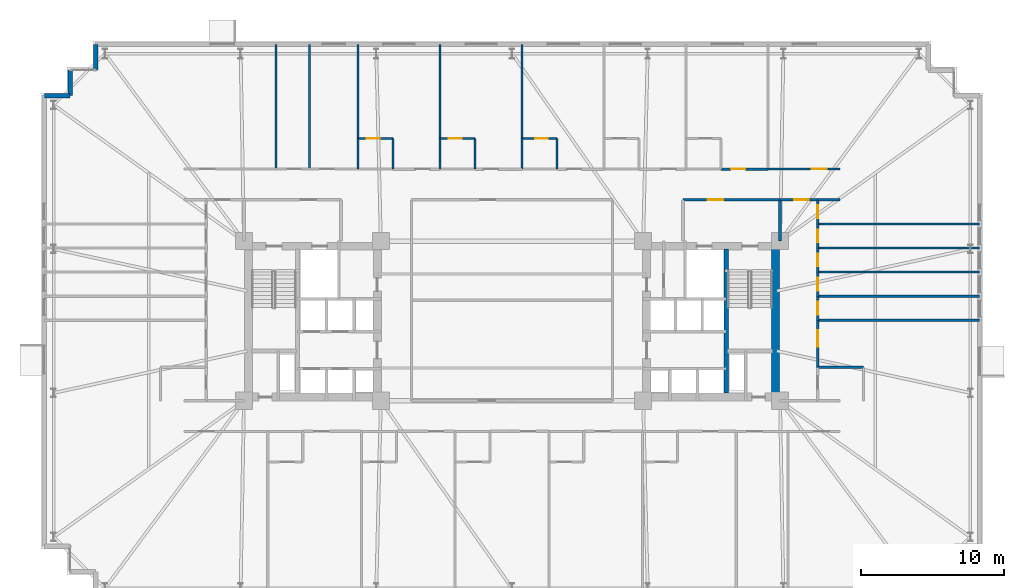
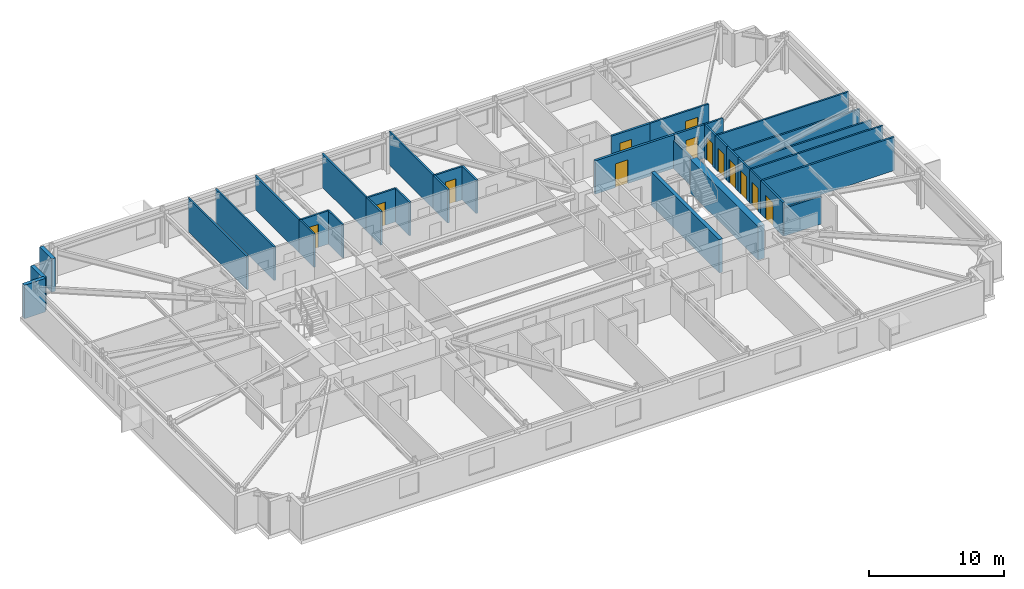
# One storey, part 18 of 21: 37 walls, 13 doors, 13 openings.
"""IFC4 building model written with IfcOpenShell, lengths in metres."""

from ifc_helpers import new_model, si_unit, direction, frame, frame_2d, origin, place, context, subcontext, project, spatial, rectangle, extrude, material, layer, layer_set, type_object, element, fill, save


model = new_model("IFC4")

# Units and contexts
model_context = context("Model", 3, precision=1e-05, world=origin(), true_north=direction((0.0, 1.0)))
body_context = subcontext(model_context, "Body", "Model", "MODEL_VIEW")
ifc_project = project(units=[si_unit("LENGTHUNIT", "METRE"), si_unit("AREAUNIT", "SQUARE_METRE"), si_unit("VOLUMEUNIT", "CUBIC_METRE"), si_unit("PLANEANGLEUNIT", "RADIAN"), si_unit("MASSUNIT", "GRAM", prefix="KILO")], contexts=[model_context])

# Site, building, storey
site_placement = place(None, origin())
site = spatial("IfcSite", under=ifc_project, at=site_placement, CompositionType="ELEMENT")
building_placement = place(site_placement, origin())
building = spatial("IfcBuilding", under=site, at=building_placement, Name="Qobustan Lattice House", CompositionType="ELEMENT")
storey_placement = place(building_placement, frame((0.0, 0.0, 57.14990234375)))
storey = spatial("IfcBuildingStorey", under=building, at=storey_placement, Name="L15", CompositionType="ELEMENT", Elevation=57.14990234375)

# Walls
ifc_material_1 = material(Name="Concrete C60/75", Category="concrete")
ifc_layer_1 = layer(ifc_material_1, 0.56005859375)
ifc_layer_set_1 = layer_set([ifc_layer_1], Name="Concrete C60/75")
wall_type_1 = type_object("IfcWallType", Name="WAL-CORE-600", PredefinedType="SHEAR", material=ifc_layer_set_1)
wall_1_placement = place(storey_placement, frame((18.489990234375, -5.050048828125, 0.0), z_axis=(0.0, 0.0, 1.0), x_axis=(0.0, 1.0, 0.0)))
element("IfcWall", 1, at=wall_1_placement, inside=storey, type_object=wall_type_1, Name="L15 split-core shear wall CE-E", PredefinedType="SHEAR", context=body_context, shape_type="SweptSolid", body=[
    extrude(rectangle(XDim=10.10009765625, YDim=0.56005859375, at=frame_2d((5.050048828125, 0.0))), origin(), (0.0, 0.0, 1.0), 3.03515625),
])
ifc_material_2 = material(Name="Concrete C50/60", Category="concrete")
ifc_layer_2 = layer(ifc_material_2, 0.280029296875)
ifc_layer_set_2 = layer_set([ifc_layer_2], Name="Concrete C50/60")
wall_type_2 = type_object("IfcWallType", Name="WAL-CORE-SPINE-280", PredefinedType="SHEAR", material=ifc_layer_set_2)
wall_2_placement = place(storey_placement, frame((15.02001953125, -5.050048828125, 0.0), z_axis=(0.0, 0.0, 1.0), x_axis=(0.0, 1.0, 0.0)))
element("IfcWall", 2, at=wall_2_placement, inside=storey, type_object=wall_type_2, Name="L15 split-core shear wall CE-M", PredefinedType="SHEAR", context=body_context, shape_type="SweptSolid", body=[
    extrude(rectangle(XDim=10.10009765625, YDim=0.300048828125, at=frame_2d((5.050048828125, 0.0))), origin(), (0.0, 0.0, 1.0), 3.03515625),
])
ifc_material_3 = material(Name="Precast concrete C40/50", Category="concrete")
ifc_layer_3 = layer(ifc_material_3, 0.320068359375)
ifc_layer_set_3 = layer_set([ifc_layer_3], Name="Precast concrete C40/50")
wall_type_3 = type_object("IfcWallType", Name="WAL-EXT-STONE-320", PredefinedType="SOLIDWALL", material=ifc_layer_set_3)
for number, where, z_axis, x_axis, name in (
    (3, (-32.800048828125, 15.800048828125, 0.0), (0.0, 0.0, 1.0), (1.0, 0.0, 0.0), "L15 exterior limestone-clad wall 6"),
    (4, (-31.0, 15.800048828125, 0.0), (0.0, 0.0, 1.0), (0.0, 1.0, 0.0), "L15 exterior limestone-clad wall 7"),
):
    element("IfcWall", number, at=place(storey_placement, frame(where, z_axis=z_axis, x_axis=x_axis)), inside=storey, type_object=wall_type_3, Name=name, PredefinedType="SOLIDWALL", context=body_context, shape_type="SweptSolid", body=[
        extrude(rectangle(XDim=1.800048828125, YDim=0.320068359375, at=frame_2d((0.89990234375, 0.0))), origin(), (0.0, 0.0, 1.0), 3.03515625),
    ])
wall_3_placement = place(storey_placement, frame((-29.199951171875, 17.60009765625, 0.0), z_axis=(0.0, 0.0, 1.0), x_axis=(0.0, 1.0, 0.0)))
element("IfcWall", 5, at=wall_3_placement, inside=storey, type_object=wall_type_3, Name="L15 exterior limestone-clad wall 9", PredefinedType="SOLIDWALL", context=body_context, shape_type="SweptSolid", body=[
    extrude(rectangle(XDim=1.7998046875, YDim=0.320068359375, at=frame_2d((0.89990234375, 0.0))), origin(), (0.0, 0.0, 1.0), 3.03515625),
])

# Wall, opening, door
ifc_material_4 = material(Name="Gypsum fireboard acoustic partition", Category="gypsum")
ifc_layer_4 = layer(ifc_material_4, 0.179931640625)
ifc_layer_set_4 = layer_set([ifc_layer_4], Name="Gypsum fireboard acoustic partition")
wall_type_4 = type_object("IfcWallType", Name="WAL-FIRE-180", PredefinedType="PARTITIONING", material=ifc_layer_set_4)
wall_4_placement = place(storey_placement, frame((21.449951171875, 8.5, 0.0), z_axis=(0.0, 0.0, 1.0), x_axis=(-1.0, 0.0, 0.0)))
wall_4 = element("IfcWall", 6, at=wall_4_placement, inside=storey, type_object=wall_type_4, Name="L15 interior partition 46", PredefinedType="PARTITIONING", context=body_context, shape_type="SweptSolid", body=[
    extrude(rectangle(XDim=2.64990234375, YDim=0.179931640625, at=frame_2d((1.324951171875, 0.0))), origin(), (0.0, 0.0, 1.0), 3.03515625),
])
opening_1_placement = place(wall_4_placement, frame((0.64111328125, 0.0, 0.0)))
opening_1 = element("IfcOpeningElement", 7, at=opening_1_placement, cuts=wall_4, Name="Opening FD-02", PredefinedType="OPENING", context=body_context, shape_type="SweptSolid", body=[
    extrude(rectangle(XDim=1.0, YDim=2.14990234375, at=frame_2d((0.5, 1.074951171875))), frame((0.0, 0.099853515625, 0.0), z_axis=(0.0, -1.0, 0.0), x_axis=(1.0, 0.0, 0.0)), (0.0, 0.0, 1.0), 0.199951171875),
])
ifc_material_5 = material(Name="Persian walnut timber and steel frame door", Category="steel")
door_type_1 = type_object("IfcDoorType", Name="DOR-UNIT-FD-1000x2150", OperationType="NOTDEFINED", PredefinedType="DOOR", material=ifc_material_5)
door_1_placement = place(opening_1_placement, origin())
door_1 = element("IfcDoor", 8, at=door_1_placement, inside=storey, type_object=door_type_1, Name="L15 North-east floor corridor to Residence entrance hall L15E door", OperationType="SINGLE_SWING_RIGHT", OverallHeight=2.14990234375, OverallWidth=1.0, PredefinedType="DOOR", context=body_context, shape_type="SweptSolid", body=[
    extrude(rectangle(XDim=1.0, YDim=2.14990234375, at=frame_2d((0.5, 1.074951171875))), frame((0.0, 0.02490234375, 0.0), z_axis=(0.0, -1.0, 0.0), x_axis=(1.0, 0.0, 0.0)), (0.0, 0.0, 1.0), 0.050048828125),
])
fill(opening_1, door_1)

wall_5_placement = place(storey_placement, frame((14.64990234375, 10.64990234375, 0.0), z_axis=(0.0, 0.0, 1.0), x_axis=(1.0, 0.0, 0.0)))
wall_5 = element("IfcWall", 9, at=wall_5_placement, inside=storey, type_object=wall_type_4, Name="L15 interior partition 53", PredefinedType="PARTITIONING", context=body_context, shape_type="SweptSolid", body=[
    extrude(rectangle(XDim=3.300048828125, YDim=0.179931640625, at=frame_2d((1.64990234375, 0.0))), origin(), (0.0, 0.0, 1.0), 3.03515625),
])
opening_2_placement = place(wall_5_placement, frame((0.722412109375, 0.0, 0.0)))
opening_2 = element("IfcOpeningElement", 10, at=opening_2_placement, cuts=wall_5, Name="Opening FD-02", PredefinedType="OPENING", context=body_context, shape_type="SweptSolid", body=[
    extrude(rectangle(XDim=1.0, YDim=2.14990234375, at=frame_2d((0.5, 1.074951171875))), frame((0.0, 0.099853515625, 0.0), z_axis=(0.0, -1.0, 0.0), x_axis=(1.0, 0.0, 0.0)), (0.0, 0.0, 1.0), 0.199951171875),
])
door_2_placement = place(opening_2_placement, origin())
door_2 = element("IfcDoor", 11, at=door_2_placement, inside=storey, type_object=door_type_1, Name="L15 North-east floor corridor to Kitchenette and studio apartment L15-N7 door", OperationType="SINGLE_SWING_LEFT", OverallHeight=2.14990234375, OverallWidth=1.0, PredefinedType="DOOR", context=body_context, shape_type="SweptSolid", body=[
    extrude(rectangle(XDim=1.0, YDim=2.14990234375, at=frame_2d((0.5, 1.074951171875))), frame((0.0, 0.02490234375, 0.0), z_axis=(0.0, -1.0, 0.0), x_axis=(1.0, 0.0, 0.0)), (0.0, 0.0, 1.0), 0.050048828125),
])
fill(opening_2, door_2)

# Wall
ifc_material_6 = material(Name="Acoustic twin-stud gypsum partition", Category="gypsum")
ifc_layer_5 = layer(ifc_material_6, 0.14990234375)
ifc_layer_set_5 = layer_set([ifc_layer_5], Name="Acoustic twin-stud gypsum partition")
wall_type_5 = type_object("IfcWallType", Name="WAL-PART-150", PredefinedType="PARTITIONING", material=ifc_layer_set_5)
wall_6_placement = place(storey_placement, frame((23.0, 8.5, 0.0), z_axis=(0.0, 0.0, 1.0), x_axis=(-1.0, 0.0, 0.0)))
element("IfcWall", 12, at=wall_6_placement, inside=storey, type_object=wall_type_5, Name="L15 interior partition 47", PredefinedType="PARTITIONING", context=body_context, shape_type="SweptSolid", body=[
    extrude(rectangle(XDim=1.550048828125, YDim=0.14990234375, at=frame_2d((0.77490234375, 0.0))), origin(), (0.0, 0.0, 1.0), 3.03515625),
])

# Wall, opening, door
wall_7_placement = place(storey_placement, frame((17.949951171875, 10.64990234375, 0.0), z_axis=(0.0, 0.0, 1.0), x_axis=(1.0, 0.0, 0.0)))
wall_7 = element("IfcWall", 13, at=wall_7_placement, inside=storey, type_object=wall_type_5, Name="L15 interior partition 55", PredefinedType="PARTITIONING", context=body_context, shape_type="SweptSolid", body=[
    extrude(rectangle(XDim=5.050048828125, YDim=0.14990234375, at=frame_2d((2.52490234375, 0.0))), origin(), (0.0, 0.0, 1.0), 3.03515625),
])
opening_3_placement = place(wall_7_placement, frame((3.06494140625, 0.0, 0.0)))
opening_3 = element("IfcOpeningElement", 14, at=opening_3_placement, cuts=wall_7, Name="Opening ID-02", PredefinedType="OPENING", context=body_context, shape_type="SweptSolid", body=[
    extrude(rectangle(XDim=1.050048828125, YDim=2.14990234375, at=frame_2d((0.52490234375, 1.074951171875))), frame((0.0, 0.0849609375, 0.0), z_axis=(0.0, -1.0, 0.0), x_axis=(1.0, 0.0, 0.0)), (0.0, 0.0, 1.0), 0.169921875),
])
ifc_material_7 = material(Name="Persian walnut timber and steel frame door", Category="steel")
door_type_2 = type_object("IfcDoorType", Name="DOR-STUDY-1050x2150", OperationType="NOTDEFINED", PredefinedType="DOOR", material=ifc_material_7)
door_3_placement = place(opening_3_placement, origin())
door_3 = element("IfcDoor", 15, at=door_3_placement, inside=storey, type_object=door_type_2, Name="L15 North-east floor corridor to Focus study room N8 door", OperationType="SINGLE_SWING_RIGHT", OverallHeight=2.14990234375, OverallWidth=1.050048828125, PredefinedType="DOOR", context=body_context, shape_type="SweptSolid", body=[
    extrude(rectangle(XDim=1.050048828125, YDim=2.14990234375, at=frame_2d((0.52490234375, 1.074951171875))), frame((0.0, 0.02490234375, 0.0), z_axis=(0.0, -1.0, 0.0), x_axis=(1.0, 0.0, 0.0)), (0.0, 0.0, 1.0), 0.050048828125),
])
fill(opening_3, door_3)

wall_8_placement = place(storey_placement, frame((21.449951171875, 1.73193359375, 0.0), z_axis=(0.0, 0.0, 1.0), x_axis=(0.0, -1.0, 0.0)))
wall_8 = element("IfcWall", 16, at=wall_8_placement, inside=storey, type_object=wall_type_5, Name="L15 interior partition 97", PredefinedType="PARTITIONING", context=body_context, shape_type="SweptSolid", body=[
    extrude(rectangle(XDim=1.69189453125, YDim=0.14990234375, at=frame_2d((0.845947265625, 0.0))), origin(), (0.0, 0.0, 1.0), 3.03515625),
])
opening_4_placement = place(wall_8_placement, frame((0.39599609375, 0.0, 0.0)))
opening_4 = element("IfcOpeningElement", 17, at=opening_4_placement, cuts=wall_8, Name="Opening WD-01", PredefinedType="OPENING", context=body_context, shape_type="SweptSolid", body=[
    extrude(rectangle(XDim=0.89990234375, YDim=2.10009765625, at=frame_2d((0.449951171875, 1.050048828125))), frame((0.0, 0.0849609375, 0.0), z_axis=(0.0, -1.0, 0.0), x_axis=(1.0, 0.0, 0.0)), (0.0, 0.0, 1.0), 0.169921875),
])
ifc_material_8 = material(Name="Persian walnut timber and steel frame door", Category="steel")
door_type_3 = type_object("IfcDoorType", Name="DOR-WET-900x2100", OperationType="NOTDEFINED", PredefinedType="DOOR", material=ifc_material_8)
door_4_placement = place(opening_4_placement, origin())
door_4 = element("IfcDoor", 18, at=door_4_placement, inside=storey, type_object=door_type_3, Name="L15 Residence entrance hall L15E to Cluster bedroom L15E1 door", OperationType="SINGLE_SWING_LEFT", OverallHeight=2.10009765625, OverallWidth=0.89990234375, PredefinedType="DOOR", context=body_context, shape_type="SweptSolid", body=[
    extrude(rectangle(XDim=0.89990234375, YDim=2.10009765625, at=frame_2d((0.449951171875, 1.050048828125))), frame((0.0, 0.02490234375, 0.0), z_axis=(0.0, -1.0, 0.0), x_axis=(1.0, 0.0, 0.0)), (0.0, 0.0, 1.0), 0.050048828125),
])
fill(opening_4, door_4)

wall_9_placement = place(storey_placement, frame((21.449951171875, 3.424072265625, 0.0), z_axis=(0.0, 0.0, 1.0), x_axis=(0.0, -1.0, 0.0)))
wall_9 = element("IfcWall", 19, at=wall_9_placement, inside=storey, type_object=wall_type_5, Name="L15 interior partition 98", PredefinedType="PARTITIONING", context=body_context, shape_type="SweptSolid", body=[
    extrude(rectangle(XDim=1.692138671875, YDim=0.14990234375, at=frame_2d((0.84619140625, 0.0))), origin(), (0.0, 0.0, 1.0), 3.03515625),
])
opening_5_placement = place(wall_9_placement, frame((0.39599609375, 0.0, 0.0)))
opening_5 = element("IfcOpeningElement", 20, at=opening_5_placement, cuts=wall_9, Name="Opening WD-01", PredefinedType="OPENING", context=body_context, shape_type="SweptSolid", body=[
    extrude(rectangle(XDim=0.89990234375, YDim=2.10009765625, at=frame_2d((0.449951171875, 1.050048828125))), frame((0.0, 0.0849609375, 0.0), z_axis=(0.0, -1.0, 0.0), x_axis=(1.0, 0.0, 0.0)), (0.0, 0.0, 1.0), 0.169921875),
])
door_5_placement = place(opening_5_placement, origin())
door_5 = element("IfcDoor", 21, at=door_5_placement, inside=storey, type_object=door_type_3, Name="L15 Residence entrance hall L15E to Cluster bedroom L15E2 door", OperationType="SINGLE_SWING_RIGHT", OverallHeight=2.10009765625, OverallWidth=0.89990234375, PredefinedType="DOOR", context=body_context, shape_type="SweptSolid", body=[
    extrude(rectangle(XDim=0.89990234375, YDim=2.10009765625, at=frame_2d((0.449951171875, 1.050048828125))), frame((0.0, 0.02490234375, 0.0), z_axis=(0.0, -1.0, 0.0), x_axis=(1.0, 0.0, 0.0)), (0.0, 0.0, 1.0), 0.050048828125),
])
fill(opening_5, door_5)

wall_10_placement = place(storey_placement, frame((21.449951171875, 5.115966796875, 0.0), z_axis=(0.0, 0.0, 1.0), x_axis=(0.0, -1.0, 0.0)))
wall_10 = element("IfcWall", 22, at=wall_10_placement, inside=storey, type_object=wall_type_5, Name="L15 interior partition 99", PredefinedType="PARTITIONING", context=body_context, shape_type="SweptSolid", body=[
    extrude(rectangle(XDim=1.69189453125, YDim=0.14990234375, at=frame_2d((0.845947265625, 0.0))), origin(), (0.0, 0.0, 1.0), 3.03515625),
])
opening_6_placement = place(wall_10_placement, frame((0.39599609375, 0.0, 0.0)))
opening_6 = element("IfcOpeningElement", 23, at=opening_6_placement, cuts=wall_10, Name="Opening WD-01", PredefinedType="OPENING", context=body_context, shape_type="SweptSolid", body=[
    extrude(rectangle(XDim=0.89990234375, YDim=2.10009765625, at=frame_2d((0.449951171875, 1.050048828125))), frame((0.0, 0.0849609375, 0.0), z_axis=(0.0, -1.0, 0.0), x_axis=(1.0, 0.0, 0.0)), (0.0, 0.0, 1.0), 0.169921875),
])
door_6_placement = place(opening_6_placement, origin())
door_6 = element("IfcDoor", 24, at=door_6_placement, inside=storey, type_object=door_type_3, Name="L15 Residence entrance hall L15E to Cluster bedroom L15E3 door", OperationType="SINGLE_SWING_LEFT", OverallHeight=2.10009765625, OverallWidth=0.89990234375, PredefinedType="DOOR", context=body_context, shape_type="SweptSolid", body=[
    extrude(rectangle(XDim=0.89990234375, YDim=2.10009765625, at=frame_2d((0.449951171875, 1.050048828125))), frame((0.0, 0.02490234375, 0.0), z_axis=(0.0, -1.0, 0.0), x_axis=(1.0, 0.0, 0.0)), (0.0, 0.0, 1.0), 0.050048828125),
])
fill(opening_6, door_6)

wall_11_placement = place(storey_placement, frame((21.449951171875, 6.80810546875, 0.0), z_axis=(0.0, 0.0, 1.0), x_axis=(0.0, -1.0, 0.0)))
wall_11 = element("IfcWall", 25, at=wall_11_placement, inside=storey, type_object=wall_type_5, Name="L15 interior partition 100", PredefinedType="PARTITIONING", context=body_context, shape_type="SweptSolid", body=[
    extrude(rectangle(XDim=1.692138671875, YDim=0.14990234375, at=frame_2d((0.84619140625, 0.0))), origin(), (0.0, 0.0, 1.0), 3.03515625),
])
opening_7_placement = place(wall_11_placement, frame((0.39599609375, 0.0, 0.0)))
opening_7 = element("IfcOpeningElement", 26, at=opening_7_placement, cuts=wall_11, Name="Opening WD-01", PredefinedType="OPENING", context=body_context, shape_type="SweptSolid", body=[
    extrude(rectangle(XDim=0.89990234375, YDim=2.10009765625, at=frame_2d((0.449951171875, 1.050048828125))), frame((0.0, 0.0849609375, 0.0), z_axis=(0.0, -1.0, 0.0), x_axis=(1.0, 0.0, 0.0)), (0.0, 0.0, 1.0), 0.169921875),
])
door_7_placement = place(opening_7_placement, origin())
door_7 = element("IfcDoor", 27, at=door_7_placement, inside=storey, type_object=door_type_3, Name="L15 Residence entrance hall L15E to Cluster bedroom L15E4 door", OperationType="SINGLE_SWING_RIGHT", OverallHeight=2.10009765625, OverallWidth=0.89990234375, PredefinedType="DOOR", context=body_context, shape_type="SweptSolid", body=[
    extrude(rectangle(XDim=0.89990234375, YDim=2.10009765625, at=frame_2d((0.449951171875, 1.050048828125))), frame((0.0, 0.02490234375, 0.0), z_axis=(0.0, -1.0, 0.0), x_axis=(1.0, 0.0, 0.0)), (0.0, 0.0, 1.0), 0.050048828125),
])
fill(opening_7, door_7)

wall_12_placement = place(storey_placement, frame((21.449951171875, 8.5, 0.0), z_axis=(0.0, 0.0, 1.0), x_axis=(0.0, -1.0, 0.0)))
wall_12 = element("IfcWall", 28, at=wall_12_placement, inside=storey, type_object=wall_type_5, Name="L15 interior partition 101", PredefinedType="PARTITIONING", context=body_context, shape_type="SweptSolid", body=[
    extrude(rectangle(XDim=1.69189453125, YDim=0.14990234375, at=frame_2d((0.845947265625, 0.0))), origin(), (0.0, 0.0, 1.0), 3.03515625),
])
opening_8_placement = place(wall_12_placement, frame((0.39599609375, 0.0, 0.0)))
opening_8 = element("IfcOpeningElement", 29, at=opening_8_placement, cuts=wall_12, Name="Opening WD-01", PredefinedType="OPENING", context=body_context, shape_type="SweptSolid", body=[
    extrude(rectangle(XDim=0.89990234375, YDim=2.10009765625, at=frame_2d((0.449951171875, 1.050048828125))), frame((0.0, 0.0849609375, 0.0), z_axis=(0.0, -1.0, 0.0), x_axis=(1.0, 0.0, 0.0)), (0.0, 0.0, 1.0), 0.169921875),
])
door_8_placement = place(opening_8_placement, origin())
door_8 = element("IfcDoor", 30, at=door_8_placement, inside=storey, type_object=door_type_3, Name="L15 Residence entrance hall L15E to Cluster bedroom L15E5 door", OperationType="SINGLE_SWING_LEFT", OverallHeight=2.10009765625, OverallWidth=0.89990234375, PredefinedType="DOOR", context=body_context, shape_type="SweptSolid", body=[
    extrude(rectangle(XDim=0.89990234375, YDim=2.10009765625, at=frame_2d((0.449951171875, 1.050048828125))), frame((0.0, 0.02490234375, 0.0), z_axis=(0.0, -1.0, 0.0), x_axis=(1.0, 0.0, 0.0)), (0.0, 0.0, 1.0), 0.050048828125),
])
fill(opening_8, door_8)

# Walls
wall_13_placement = place(storey_placement, frame((21.449951171875, 1.73193359375, 0.0), z_axis=(0.0, 0.0, 1.0), x_axis=(1.0, 0.0, 0.0)))
element("IfcWall", 31, at=wall_13_placement, inside=storey, type_object=wall_type_5, Name="L15 interior partition 105", PredefinedType="PARTITIONING", context=body_context, shape_type="SweptSolid", body=[
    extrude(rectangle(XDim=11.35009765625, YDim=0.14990234375, at=frame_2d((5.675048828125, 0.0))), origin(), (0.0, 0.0, 1.0), 3.03515625),
])
for number, where, z_axis, x_axis, name in (
    (32, (21.449951171875, 3.424072265625, 0.0), (0.0, 0.0, 1.0), (1.0, 0.0, 0.0), "L15 interior partition 106"),
    (33, (21.449951171875, 5.115966796875, 0.0), (0.0, 0.0, 1.0), (1.0, 0.0, 0.0), "L15 interior partition 107"),
):
    element("IfcWall", number, at=place(storey_placement, frame(where, z_axis=z_axis, x_axis=x_axis)), inside=storey, type_object=wall_type_5, Name=name, PredefinedType="PARTITIONING", context=body_context, shape_type="SweptSolid", body=[
        extrude(rectangle(XDim=11.35009765625, YDim=0.14990234375, at=frame_2d((5.675048828125, 0.0))), origin(), (0.0, 0.0, 1.0), 2.52001953125),
    ])
wall_14_placement = place(storey_placement, frame((21.449951171875, 6.80810546875, 0.0), z_axis=(0.0, 0.0, 1.0), x_axis=(1.0, 0.0, 0.0)))
element("IfcWall", 34, at=wall_14_placement, inside=storey, type_object=wall_type_5, Name="L15 interior partition 108", PredefinedType="PARTITIONING", context=body_context, shape_type="SweptSolid", body=[
    extrude(rectangle(XDim=11.35009765625, YDim=0.14990234375, at=frame_2d((5.675048828125, 0.0))), origin(), (0.0, 0.0, 1.0), 3.03515625),
])
for number, where, z_axis, x_axis, name in (
    (35, (-10.800048828125, 19.39990234375, 0.0), (0.0, 0.0, 1.0), (0.0, -1.0, 0.0), "L15 interior partition 111"),
    (36, (-5.050048828125, 19.39990234375, 0.0), (0.0, 0.0, 1.0), (0.0, -1.0, 0.0), "L15 interior partition 115"),
    (37, (0.699951171875, 19.39990234375, 0.0), (0.0, 0.0, 1.0), (0.0, -1.0, 0.0), "L15 interior partition 119"),
):
    element("IfcWall", number, at=place(storey_placement, frame(where, z_axis=z_axis, x_axis=x_axis)), inside=storey, type_object=wall_type_5, Name=name, PredefinedType="PARTITIONING", context=body_context, shape_type="SweptSolid", body=[
        extrude(rectangle(XDim=6.599853515625, YDim=0.14990234375, at=frame_2d((3.2998046875, 0.0))), origin(), (0.0, 0.0, 1.0), 3.03515625),
    ])

# Wall, opening, door
ifc_material_9 = material(Name="High-mass acoustic twin-stud partition", Category="gypsum")
ifc_layer_6 = layer(ifc_material_9, 0.1650390625)
ifc_layer_set_6 = layer_set([ifc_layer_6], Name="High-mass acoustic twin-stud partition")
wall_type_6 = type_object("IfcWallType", Name="WAL-PART-165", PredefinedType="PARTITIONING", material=ifc_layer_set_6)
wall_15_placement = place(storey_placement, frame((21.449951171875, 0.0400390625, 0.0), z_axis=(0.0, 0.0, 1.0), x_axis=(0.0, -1.0, 0.0)))
wall_15 = element("IfcWall", 38, at=wall_15_placement, inside=storey, type_object=wall_type_6, Name="L15 interior partition 96", PredefinedType="PARTITIONING", context=body_context, shape_type="SweptSolid", body=[
    extrude(rectangle(XDim=3.2900390625, YDim=0.1650390625, at=frame_2d((1.64501953125, 0.0))), origin(), (0.0, 0.0, 1.0), 3.03515625),
])
opening_9_placement = place(wall_15_placement, frame((0.702392578125, 0.0, 0.0)))
opening_9 = element("IfcOpeningElement", 39, at=opening_9_placement, cuts=wall_15, Name="Opening ID-03", PredefinedType="OPENING", context=body_context, shape_type="SweptSolid", body=[
    extrude(rectangle(XDim=1.14990234375, YDim=2.14990234375, at=frame_2d((0.574951171875, 1.074951171875))), frame((0.0, 0.092529296875, 0.0), z_axis=(0.0, -1.0, 0.0), x_axis=(1.0, 0.0, 0.0)), (0.0, 0.0, 1.0), 0.18505859375),
])
ifc_material_10 = material(Name="Persian walnut timber and steel frame door", Category="steel")
door_type_4 = type_object("IfcDoorType", Name="DOR-KITCH-1150x2150", OperationType="NOTDEFINED", PredefinedType="DOOR", material=ifc_material_10)
door_9_placement = place(opening_9_placement, origin())
door_9 = element("IfcDoor", 40, at=door_9_placement, inside=storey, type_object=door_type_4, Name="L15 Residence entrance hall L15E to Shared kitchen L15E door", OperationType="SINGLE_SWING_RIGHT", OverallHeight=2.14990234375, OverallWidth=1.14990234375, PredefinedType="DOOR", context=body_context, shape_type="SweptSolid", body=[
    extrude(rectangle(XDim=1.14990234375, YDim=2.14990234375, at=frame_2d((0.574951171875, 1.074951171875))), frame((0.0, 0.02490234375, 0.0), z_axis=(0.0, -1.0, 0.0), x_axis=(1.0, 0.0, 0.0)), (0.0, 0.0, 1.0), 0.050048828125),
])
fill(opening_9, door_9)

# Wall
wall_16_placement = place(storey_placement, frame((21.449951171875, 0.0400390625, 0.0), z_axis=(0.0, 0.0, 1.0), x_axis=(1.0, 0.0, 0.0)))
element("IfcWall", 41, at=wall_16_placement, inside=storey, type_object=wall_type_6, Name="L15 interior partition 104", PredefinedType="PARTITIONING", context=body_context, shape_type="SweptSolid", body=[
    extrude(rectangle(XDim=11.35009765625, YDim=0.1650390625, at=frame_2d((5.675048828125, 0.0))), origin(), (0.0, 0.0, 1.0), 3.03515625),
])

# Wall, opening, door
ifc_material_11 = material(Name="Two-hour gypsum fireboard acoustic partition", Category="gypsum")
ifc_layer_7 = layer(ifc_material_11, 0.199951171875)
ifc_layer_set_7 = layer_set([ifc_layer_7], Name="Two-hour gypsum fireboard acoustic partition")
wall_type_7 = type_object("IfcWallType", Name="WAL-PROT-200", PredefinedType="PARTITIONING", material=ifc_layer_set_7)
wall_17_placement = place(storey_placement, frame((18.800048828125, 8.5, 0.0), z_axis=(0.0, 0.0, 1.0), x_axis=(-1.0, 0.0, 0.0)))
wall_17 = element("IfcWall", 42, at=wall_17_placement, inside=storey, type_object=wall_type_7, Name="L15 interior partition 20", PredefinedType="PARTITIONING", context=body_context, shape_type="SweptSolid", body=[
    extrude(rectangle(XDim=6.800048828125, YDim=0.199951171875, at=frame_2d((3.39990234375, 0.0))), origin(), (0.0, 0.0, 1.0), 3.03515625),
])
opening_10_placement = place(wall_17_placement, frame((3.985107421875, 0.0, 0.0)))
opening_10 = element("IfcOpeningElement", 43, at=opening_10_placement, cuts=wall_17, Name="Opening SD-01", PredefinedType="OPENING", context=body_context, shape_type="SweptSolid", body=[
    extrude(rectangle(XDim=1.10009765625, YDim=2.14990234375, at=frame_2d((0.550048828125, 1.074951171875))), frame((0.0, 0.10986328125, 0.0), z_axis=(0.0, -1.0, 0.0), x_axis=(1.0, 0.0, 0.0)), (0.0, 0.0, 1.0), 0.219970703125),
])
ifc_material_12 = material(Name="Persian walnut timber and steel frame door", Category="steel")
door_type_5 = type_object("IfcDoorType", Name="DOR-STAIR-FD-1100x2150", OperationType="NOTDEFINED", PredefinedType="DOOR", material=ifc_material_12)
door_10_placement = place(opening_10_placement, origin())
door_10 = element("IfcDoor", 44, at=door_10_placement, inside=storey, type_object=door_type_5, Name="L15 East firefighting lift lobby to North-east floor corridor door", OperationType="SINGLE_SWING_LEFT", OverallHeight=2.14990234375, OverallWidth=1.10009765625, PredefinedType="DOOR", context=body_context, shape_type="SweptSolid", body=[
    extrude(rectangle(XDim=1.10009765625, YDim=2.14990234375, at=frame_2d((0.550048828125, 1.074951171875))), frame((0.0, 0.02490234375, 0.0), z_axis=(0.0, -1.0, 0.0), x_axis=(1.0, 0.0, 0.0)), (0.0, 0.0, 1.0), 0.050048828125),
])
fill(opening_10, door_10)

# Walls
wall_18_placement = place(storey_placement, frame((18.800048828125, 5.60009765625, 0.0), z_axis=(0.0, 0.0, 1.0), x_axis=(0.0, 1.0, 0.0)))
element("IfcWall", 45, at=wall_18_placement, inside=storey, type_object=wall_type_7, Name="L15 interior partition 22", PredefinedType="PARTITIONING", context=body_context, shape_type="SweptSolid", body=[
    extrude(rectangle(XDim=2.89990234375, YDim=0.199951171875, at=frame_2d((1.449951171875, 0.0))), origin(), (0.0, 0.0, 1.0), 2.52001953125),
])
ifc_material_13 = material(Name="Moisture-resistant acoustic plumbing wall", Category="gypsum")
ifc_layer_8 = layer(ifc_material_13, 0.14990234375)
ifc_layer_set_8 = layer_set([ifc_layer_8], Name="Moisture-resistant acoustic plumbing wall")
wall_type_8 = type_object("IfcWallType", Name="WAL-WET-150", PredefinedType="PLUMBINGWALL", material=ifc_layer_set_8)
wall_19_placement = place(storey_placement, frame((21.449951171875, -3.25, 0.0), z_axis=(0.0, 0.0, 1.0), x_axis=(1.0, 0.0, 0.0)))
element("IfcWall", 46, at=wall_19_placement, inside=storey, type_object=wall_type_8, Name="L15 interior partition 102", PredefinedType="PLUMBINGWALL", context=body_context, shape_type="SweptSolid", body=[
    extrude(rectangle(XDim=3.199951171875, YDim=0.14990234375, at=frame_2d((1.60009765625, 0.0))), origin(), (0.0, 0.0, 1.0), 2.52001953125),
])
for number, where, z_axis, x_axis, name in (
    (47, (-16.550048828125, 19.39990234375, 0.0), (0.0, 0.0, 1.0), (0.0, -1.0, 0.0), "L15 interior partition 109"),
    (48, (-14.199951171875, 19.39990234375, 0.0), (0.0, 0.0, 1.0), (0.0, -1.0, 0.0), "L15 interior partition 110"),
):
    element("IfcWall", number, at=place(storey_placement, frame(where, z_axis=z_axis, x_axis=x_axis)), inside=storey, type_object=wall_type_8, Name=name, PredefinedType="PLUMBINGWALL", context=body_context, shape_type="SweptSolid", body=[
        extrude(rectangle(XDim=8.75, YDim=0.14990234375, at=frame_2d((4.375, 0.0))), origin(), (0.0, 0.0, 1.0), 3.03515625),
    ])
wall_20_placement = place(storey_placement, frame((-10.800048828125, 12.800048828125, 0.0), z_axis=(0.0, 0.0, 1.0), x_axis=(0.0, -1.0, 0.0)))
element("IfcWall", 49, at=wall_20_placement, inside=storey, type_object=wall_type_8, Name="L15 interior partition 112", PredefinedType="PLUMBINGWALL", context=body_context, shape_type="SweptSolid", body=[
    extrude(rectangle(XDim=2.150146484375, YDim=0.14990234375, at=frame_2d((1.0751953125, 0.0))), origin(), (0.0, 0.0, 1.0), 3.03515625),
])

# Wall, opening, door
wall_21_placement = place(storey_placement, frame((-8.35009765625, 12.800048828125, 0.0), z_axis=(0.0, 0.0, 1.0), x_axis=(-1.0, 0.0, 0.0)))
wall_21 = element("IfcWall", 50, at=wall_21_placement, inside=storey, type_object=wall_type_8, Name="L15 interior partition 113", PredefinedType="PLUMBINGWALL", context=body_context, shape_type="SweptSolid", body=[
    extrude(rectangle(XDim=2.449951171875, YDim=0.14990234375, at=frame_2d((1.22509765625, 0.0))), origin(), (0.0, 0.0, 1.0), 3.03515625),
])
opening_11_placement = place(wall_21_placement, frame((0.92138671875, 0.0, 0.0)))
opening_11 = element("IfcOpeningElement", 51, at=opening_11_placement, cuts=wall_21, Name="Opening WD-01", PredefinedType="OPENING", context=body_context, shape_type="SweptSolid", body=[
    extrude(rectangle(XDim=0.89990234375, YDim=2.10009765625, at=frame_2d((0.449951171875, 1.050048828125))), frame((0.0, 0.0849609375, 0.0), z_axis=(0.0, -1.0, 0.0), x_axis=(1.0, 0.0, 0.0)), (0.0, 0.0, 1.0), 0.169921875),
])
door_11_placement = place(opening_11_placement, origin())
door_11 = element("IfcDoor", 52, at=door_11_placement, inside=storey, type_object=door_type_3, Name="L15 Kitchenette and studio apartment L15-N3 to En-suite bathroom L15-N3 door", OperationType="SINGLE_SWING_RIGHT", OverallHeight=2.10009765625, OverallWidth=0.89990234375, PredefinedType="DOOR", context=body_context, shape_type="SweptSolid", body=[
    extrude(rectangle(XDim=0.89990234375, YDim=2.10009765625, at=frame_2d((0.449951171875, 1.050048828125))), frame((0.0, 0.02490234375, 0.0), z_axis=(0.0, -1.0, 0.0), x_axis=(1.0, 0.0, 0.0)), (0.0, 0.0, 1.0), 0.050048828125),
])
fill(opening_11, door_11)

# Walls
for number, where, z_axis, x_axis, name in (
    (53, (-8.35009765625, 10.64990234375, 0.0), (0.0, 0.0, 1.0), (0.0, 1.0, 0.0), "L15 interior partition 114"),
    (54, (-5.050048828125, 12.800048828125, 0.0), (0.0, 0.0, 1.0), (0.0, -1.0, 0.0), "L15 interior partition 116"),
):
    element("IfcWall", number, at=place(storey_placement, frame(where, z_axis=z_axis, x_axis=x_axis)), inside=storey, type_object=wall_type_8, Name=name, PredefinedType="PLUMBINGWALL", context=body_context, shape_type="SweptSolid", body=[
        extrude(rectangle(XDim=2.150146484375, YDim=0.14990234375, at=frame_2d((1.0751953125, 0.0))), origin(), (0.0, 0.0, 1.0), 3.03515625),
    ])

# Wall, opening, door
wall_22_placement = place(storey_placement, frame((-2.60009765625, 12.800048828125, 0.0), z_axis=(0.0, 0.0, 1.0), x_axis=(-1.0, 0.0, 0.0)))
wall_22 = element("IfcWall", 55, at=wall_22_placement, inside=storey, type_object=wall_type_8, Name="L15 interior partition 117", PredefinedType="PLUMBINGWALL", context=body_context, shape_type="SweptSolid", body=[
    extrude(rectangle(XDim=2.449951171875, YDim=0.14990234375, at=frame_2d((1.22509765625, 0.0))), origin(), (0.0, 0.0, 1.0), 3.03515625),
])
opening_12_placement = place(wall_22_placement, frame((0.921142578125, 0.0, 0.0)))
opening_12 = element("IfcOpeningElement", 56, at=opening_12_placement, cuts=wall_22, Name="Opening WD-01", PredefinedType="OPENING", context=body_context, shape_type="SweptSolid", body=[
    extrude(rectangle(XDim=0.89990234375, YDim=2.10009765625, at=frame_2d((0.449951171875, 1.050048828125))), frame((0.0, 0.0849609375, 0.0), z_axis=(0.0, -1.0, 0.0), x_axis=(1.0, 0.0, 0.0)), (0.0, 0.0, 1.0), 0.169921875),
])
door_12_placement = place(opening_12_placement, origin())
door_12 = element("IfcDoor", 57, at=door_12_placement, inside=storey, type_object=door_type_3, Name="L15 Kitchenette and studio apartment L15-N4 to En-suite bathroom L15-N4 door", OperationType="SINGLE_SWING_LEFT", OverallHeight=2.10009765625, OverallWidth=0.89990234375, PredefinedType="DOOR", context=body_context, shape_type="SweptSolid", body=[
    extrude(rectangle(XDim=0.89990234375, YDim=2.10009765625, at=frame_2d((0.449951171875, 1.050048828125))), frame((0.0, 0.02490234375, 0.0), z_axis=(0.0, -1.0, 0.0), x_axis=(1.0, 0.0, 0.0)), (0.0, 0.0, 1.0), 0.050048828125),
])
fill(opening_12, door_12)

# Walls
for number, where, z_axis, x_axis, name in (
    (58, (-2.60009765625, 10.64990234375, 0.0), (0.0, 0.0, 1.0), (0.0, 1.0, 0.0), "L15 interior partition 118"),
    (59, (0.699951171875, 12.800048828125, 0.0), (0.0, 0.0, 1.0), (0.0, -1.0, 0.0), "L15 interior partition 120"),
):
    element("IfcWall", number, at=place(storey_placement, frame(where, z_axis=z_axis, x_axis=x_axis)), inside=storey, type_object=wall_type_8, Name=name, PredefinedType="PLUMBINGWALL", context=body_context, shape_type="SweptSolid", body=[
        extrude(rectangle(XDim=2.150146484375, YDim=0.14990234375, at=frame_2d((1.0751953125, 0.0))), origin(), (0.0, 0.0, 1.0), 3.03515625),
    ])

# Wall, opening, door
wall_23_placement = place(storey_placement, frame((3.14990234375, 12.800048828125, 0.0), z_axis=(0.0, 0.0, 1.0), x_axis=(-1.0, 0.0, 0.0)))
wall_23 = element("IfcWall", 60, at=wall_23_placement, inside=storey, type_object=wall_type_8, Name="L15 interior partition 121", PredefinedType="PLUMBINGWALL", context=body_context, shape_type="SweptSolid", body=[
    extrude(rectangle(XDim=2.449951171875, YDim=0.14990234375, at=frame_2d((1.22509765625, 0.0))), origin(), (0.0, 0.0, 1.0), 3.03515625),
])
opening_13_placement = place(wall_23_placement, frame((0.62890625, 0.0, 0.0)))
opening_13 = element("IfcOpeningElement", 61, at=opening_13_placement, cuts=wall_23, Name="Opening WD-01", PredefinedType="OPENING", context=body_context, shape_type="SweptSolid", body=[
    extrude(rectangle(XDim=0.89990234375, YDim=2.10009765625, at=frame_2d((0.449951171875, 1.050048828125))), frame((0.0, 0.0849609375, 0.0), z_axis=(0.0, -1.0, 0.0), x_axis=(1.0, 0.0, 0.0)), (0.0, 0.0, 1.0), 0.169921875),
])
door_13_placement = place(opening_13_placement, origin())
door_13 = element("IfcDoor", 62, at=door_13_placement, inside=storey, type_object=door_type_3, Name="L15 Kitchenette and studio apartment L15-N5 to En-suite bathroom L15-N5 door", OperationType="SINGLE_SWING_RIGHT", OverallHeight=2.10009765625, OverallWidth=0.89990234375, PredefinedType="DOOR", context=body_context, shape_type="SweptSolid", body=[
    extrude(rectangle(XDim=0.89990234375, YDim=2.10009765625, at=frame_2d((0.449951171875, 1.050048828125))), frame((0.0, 0.02490234375, 0.0), z_axis=(0.0, -1.0, 0.0), x_axis=(1.0, 0.0, 0.0)), (0.0, 0.0, 1.0), 0.050048828125),
])
fill(opening_13, door_13)

# Wall
wall_24_placement = place(storey_placement, frame((3.14990234375, 10.64990234375, 0.0), z_axis=(0.0, 0.0, 1.0), x_axis=(0.0, 1.0, 0.0)))
element("IfcWall", 63, at=wall_24_placement, inside=storey, type_object=wall_type_8, Name="L15 interior partition 122", PredefinedType="PLUMBINGWALL", context=body_context, shape_type="SweptSolid", body=[
    extrude(rectangle(XDim=2.150146484375, YDim=0.14990234375, at=frame_2d((1.0751953125, 0.0))), origin(), (0.0, 0.0, 1.0), 3.03515625),
])

save(model, "model.ifc")
